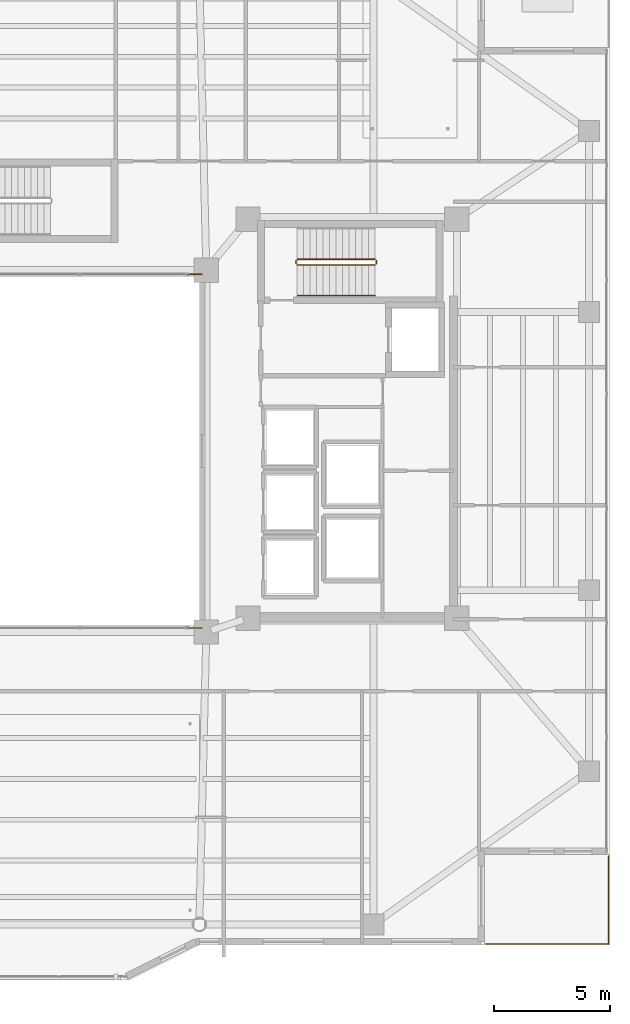
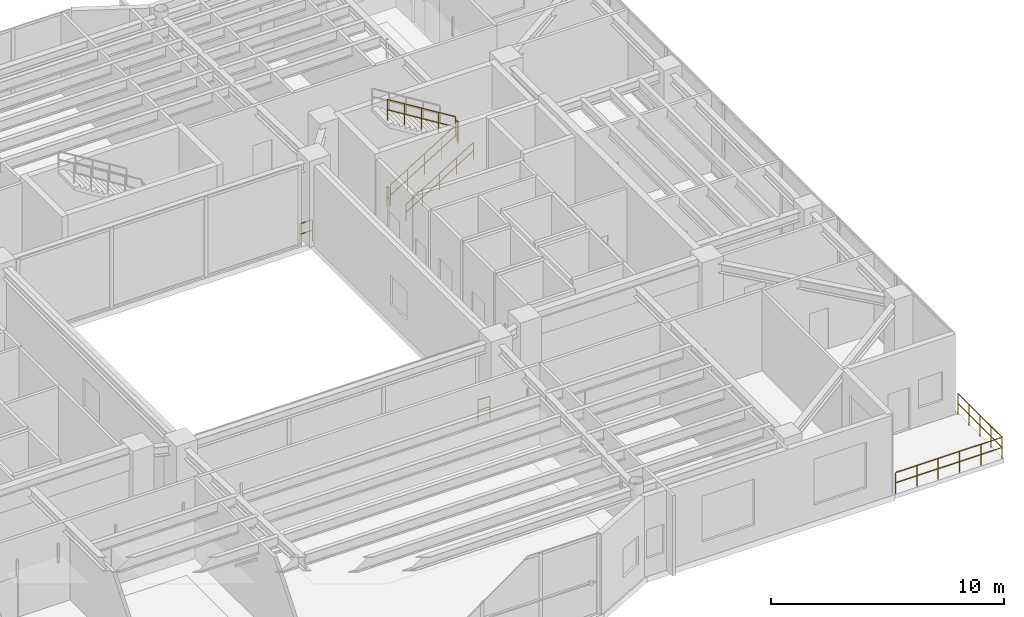
# One storey, part 31 of 33: 9 railings.
"""IFC4 building model written with IfcOpenShell, lengths in metres."""

import ifcopenshell
import ifcopenshell.guid

model = None  # the IFC model being written
_history = None  # IfcOwnerHistory: only IFC2X3 demands one
_inside = {}  # id of a spatial element -> (the spatial element, [elements in it])
_under = {}  # id of a project, library or spatial element -> (it, [spatial elements below it])
_declared = {}  # id of a project -> (the project, [libraries it declares])
_typed = {}  # id of a type object -> (the type object, [elements of that type])
_made_of = {}  # id of a material, layer set ... -> (it, [elements and type objects made of it])


def new_model(schema):
    """Start an empty IFC model of exactly this schema.

    Asked for "IFC4X3", IfcOpenShell would pick the latest addendum, in which some entities
    have other attributes; the version numbers below select the first issue.
    IFC2X3 requires an IfcOwnerHistory on every rooted entity: one is made here for all.
    """
    global model, _history
    if schema == "IFC4X3":
        model = ifcopenshell.file(schema_version=(4, 3, 0, 0))
    else:
        model = ifcopenshell.file(schema=schema)
    _inside.clear()
    _under.clear()
    _declared.clear()
    _typed.clear()
    _made_of.clear()
    _history = None
    if model.schema == "IFC2X3":
        org = make("IfcOrganization", Name="unknown")
        user = make(
            "IfcPersonAndOrganization",
            ThePerson=make("IfcPerson", FamilyName="unknown"),
            TheOrganization=org,
        )
        app = make(
            "IfcApplication",
            ApplicationDeveloper=org,
            Version="unknown",
            ApplicationFullName="unknown",
            ApplicationIdentifier="unknown",
        )
        _history = make(
            "IfcOwnerHistory",
            OwningUser=user,
            OwningApplication=app,
            ChangeAction="ADDED",
            CreationDate=0,
        )
    return model


def make(cls, **values):
    """One entity of the class cls with the attributes given. An attribute that is None is left unset."""
    return model.create_entity(
        cls, **{name: value for name, value in values.items() if value is not None}
    )


def rooted(cls, **values):
    """An entity with a GlobalId (a new one), such as an element, a storey or a relation."""
    return make(cls, GlobalId=ifcopenshell.guid.new(), OwnerHistory=_history, **values)


def si_unit(unit_type, name, prefix=None):
    """IfcSIUnit, for example si_unit("LENGTHUNIT", "METRE", prefix="MILLI")."""
    return make("IfcSIUnit", UnitType=unit_type, Prefix=prefix, Name=name)


def assignment(units):
    """IfcUnitAssignment: the units of a project."""
    return None if units is None else make("IfcUnitAssignment", Units=units)


def point(xyz):
    """IfcCartesianPoint."""
    return None if xyz is None else make("IfcCartesianPoint", Coordinates=xyz)


def direction(xyz):
    """IfcDirection."""
    return None if xyz is None else make("IfcDirection", DirectionRatios=xyz)


def frame(location, z_axis=None, x_axis=None):
    """IfcAxis2Placement3D, a coordinate frame: its origin and axes. An axis left out is left unset."""
    return make(
        "IfcAxis2Placement3D",
        Location=point(location),
        Axis=direction(z_axis),
        RefDirection=direction(x_axis),
    )


def frame_2d(location, x_axis=None):
    """IfcAxis2Placement2D, a coordinate frame in the plane: its origin and x axis."""
    return make(
        "IfcAxis2Placement2D", Location=point(location), RefDirection=direction(x_axis)
    )


def origin():
    """The frame at (0, 0, 0) with its axes left unset."""
    return frame((0.0, 0.0, 0.0))


def origin_2d():
    """The frame at (0, 0) in the plane with its x axis left unset."""
    return frame_2d((0.0, 0.0))


def place(relative_to, where):
    """IfcLocalPlacement: puts the frame where relative to a parent placement (None: the world)."""
    return make(
        "IfcLocalPlacement", PlacementRelTo=relative_to, RelativePlacement=where
    )


def context(
    kind, dimensions, precision=None, world=None, true_north=None, identifier=None
):
    """IfcGeometricRepresentationContext, for example the 3D "Model" context."""
    return make(
        "IfcGeometricRepresentationContext",
        ContextIdentifier=identifier,
        ContextType=kind,
        CoordinateSpaceDimension=dimensions,
        Precision=precision,
        WorldCoordinateSystem=world,
        TrueNorth=true_north,
    )


def subcontext(parent, identifier, kind, view, scale=None):
    """IfcGeometricRepresentationSubContext, for example "Body" below "Model"."""
    return make(
        "IfcGeometricRepresentationSubContext",
        ContextIdentifier=identifier,
        ContextType=kind,
        ParentContext=parent,
        TargetScale=scale,
        TargetView=view,
    )


def project(units=None, contexts=None):
    """IfcProject with its units and contexts."""
    return rooted(
        "IfcProject",
        Name="project",
        RepresentationContexts=contexts,
        UnitsInContext=assignment(units),
    )


def spatial(cls, under=None, at=None, **own):
    """A site, building, storey or space (cls), placed at a placement, below another one or the project."""
    s = rooted(cls, ObjectPlacement=at, **own)
    if under is not None:
        _under.setdefault(under.id(), (under, []))[1].append(s)
    return s


def profile(cls, at=None, kind="AREA", **sizes):
    """A parametric profile (cls). Its sizes go by their IFC names, for example OverallWidth=200.0."""
    return make(cls, ProfileType=kind, Position=at, **sizes)


def circle(**sizes):
    """IfcCircleProfileDef."""
    return profile("IfcCircleProfileDef", **sizes)


def extrude(swept, where, along, depth):
    """IfcExtrudedAreaSolid: the profile swept, set in the frame where, extruded along a direction by depth."""
    return make(
        "IfcExtrudedAreaSolid",
        SweptArea=swept,
        Position=where,
        ExtrudedDirection=direction(along),
        Depth=depth,
    )


def shape(context_of_items, identifier, shape_type, items):
    """IfcShapeRepresentation: the items that make up one representation, for example the "Body"."""
    return make(
        "IfcShapeRepresentation",
        ContextOfItems=context_of_items,
        RepresentationIdentifier=identifier,
        RepresentationType=shape_type,
        Items=items,
    )


def material(Name=None, Category=None):
    """IfcMaterial."""
    return make("IfcMaterial", Name=Name, Category=Category)


def made_of(thing, what):
    """Note that an element or type object is made of a material, layer set ...; save() writes the relation."""
    if what is not None:
        _made_of.setdefault(what.id(), (what, []))[1].append(thing)
    return thing


def type_object(cls, material=None, **own):
    """A type object (cls), such as IfcWallType, which elements share."""
    return made_of(rooted(cls, **own), material)


def element(
    cls,
    number,
    at=None,
    inside=None,
    cuts=None,
    type_object=None,
    material=None,
    context=None,
    identifier="Body",
    shape_type=None,
    held_by="IfcProductDefinitionShape",
    body=None,
    shapes=None,
    **own,
):
    """One element of the class cls, such as IfcWall. Its Tag is "e" and its number.

    at: its placement. inside: the storey or other place that contains it. cuts: it is an
    opening in that element (IfcRelVoidsElement). A single representation is given by context,
    identifier, shape_type and body (its items); several are given by shapes. held_by: the class
    of the entity that holds the representations. save() writes the other relations.
    """
    e = rooted(cls, Tag="e%d" % number, ObjectPlacement=at, **own)
    if body is not None:
        shapes = [shape(context, identifier, shape_type, body)]
    if shapes is not None:
        e.Representation = make(held_by, Representations=shapes)
    if inside is not None:
        _inside.setdefault(inside.id(), (inside, []))[1].append(e)
    if cuts is not None:
        rooted(
            "IfcRelVoidsElement", RelatingBuildingElement=cuts, RelatedOpeningElement=e
        )
    if type_object is not None:
        _typed.setdefault(type_object.id(), (type_object, []))[1].append(e)
    return made_of(e, material)


def aggregate(whole, parts):
    """IfcRelAggregates: a whole, such as a stair, and the parts it consists of."""
    return rooted("IfcRelAggregates", RelatingObject=whole, RelatedObjects=parts)


def save(model, path):
    """Write the relations noted so far, then the file.

    IfcRelAggregates (storeys below a building ...), IfcRelContainedInSpatialStructure (elements
    in a storey), IfcRelDefinesByType, IfcRelAssociatesMaterial and IfcRelDeclares: one each for
    every whole, place, type object, material and project.
    """
    for whole, parts in _under.values():
        aggregate(whole, parts)
    for where, things in _inside.values():
        rooted(
            "IfcRelContainedInSpatialStructure",
            RelatedElements=things,
            RelatingStructure=where,
        )
    for kind, things in _typed.values():
        rooted("IfcRelDefinesByType", RelatedObjects=things, RelatingType=kind)
    for what, things in _made_of.values():
        rooted("IfcRelAssociatesMaterial", RelatedObjects=things, RelatingMaterial=what)
    for by, libraries in _declared.values():
        rooted("IfcRelDeclares", RelatingContext=by, RelatedDefinitions=libraries)
    model.write(path)


model = new_model("IFC4")

# Units and contexts
model_context = context("Model", 3, precision=1e-05, world=origin(), true_north=direction((0.0, 1.0)))
body_context = subcontext(model_context, "Body", "Model", "MODEL_VIEW")
ifc_project = project(units=[si_unit("LENGTHUNIT", "METRE"), si_unit("AREAUNIT", "SQUARE_METRE"), si_unit("VOLUMEUNIT", "CUBIC_METRE"), si_unit("PLANEANGLEUNIT", "RADIAN"), si_unit("MASSUNIT", "GRAM", prefix="KILO")], contexts=[model_context])

# Site, building, storey
site_placement = place(None, origin())
site = spatial("IfcSite", under=ifc_project, at=site_placement, CompositionType="ELEMENT")
building_placement = place(site_placement, origin())
building = spatial("IfcBuilding", under=site, at=building_placement, Name="Tarnavaz Court Tower", CompositionType="ELEMENT")
storey_placement = place(building_placement, frame((0.0, 0.0, 172.800048828125)))
storey = spatial("IfcBuildingStorey", under=building, at=storey_placement, Name="L47", CompositionType="ELEMENT", Elevation=172.800048828125)

# Railings
ifc_material_1 = material(Name="Anodised Aluminium 6063-T6 and Laminated Safety Glass", Category="aluminium")
railing_type_1 = type_object("IfcRailingType", Name="RL-BAL-1120", PredefinedType="BALUSTRADE", material=ifc_material_1)
railing_1_placement = place(storey_placement, frame((7.02001953125, -7.6201171875, 0.0)))
element("IfcRailing", 1, at=railing_1_placement, inside=storey, type_object=railing_type_1, Name="L47 Courtyard Corner Balustrade S-B", PredefinedType="BALUSTRADE", context=body_context, shape_type="SweptSolid", body=[
    extrude(circle(Radius=0.02392578125, at=origin_2d()), frame((0.0, 0.0, 1.1259765625), z_axis=(1.0, 0.0, 0.0), x_axis=(0.0, 1.0, 0.0)), (0.0, 0.0, 1.0), 0.60009765625),
    extrude(circle(Radius=0.02392578125, at=origin_2d()), frame((0.0, 0.0, 0.574951171875), z_axis=(1.0, 0.0, 0.0), x_axis=(0.0, 1.0, 0.0)), (0.0, 0.0, 1.0), 0.60009765625),
    extrude(circle(Radius=0.02099609375, at=origin_2d()), origin(), (0.0, 0.0, 1.0), 1.101806640625),
    extrude(circle(Radius=0.02099609375, at=origin_2d()), frame((0.60009765625, 0.0, 0.0)), (0.0, 0.0, 1.0), 1.101806640625),
])
railing_2_placement = place(storey_placement, frame((7.6201171875, 7.6201171875, 0.0)))
element("IfcRailing", 2, at=railing_2_placement, inside=storey, type_object=railing_type_1, Name="L47 Courtyard Corner Balustrade N-A", PredefinedType="BALUSTRADE", context=body_context, shape_type="SweptSolid", body=[
    extrude(circle(Radius=0.02392578125, at=origin_2d()), frame((0.0, 0.0, 1.1259765625), z_axis=(-1.0, 0.0, 0.0), x_axis=(0.0, -1.0, 0.0)), (0.0, 0.0, 1.0), 0.60009765625),
    extrude(circle(Radius=0.02392578125, at=origin_2d()), frame((0.0, 0.0, 0.574951171875), z_axis=(-1.0, 0.0, 0.0), x_axis=(0.0, -1.0, 0.0)), (0.0, 0.0, 1.0), 0.60009765625),
    extrude(circle(Radius=0.02099609375, at=origin_2d()), origin(), (0.0, 0.0, 1.0), 1.101806640625),
    extrude(circle(Radius=0.02099609375, at=origin_2d()), frame((-0.60009765625, 0.0, 0.0)), (0.0, 0.0, 1.0), 1.101806640625),
])
railing_3_placement = place(storey_placement, frame((19.860107421875, -21.239990234375, 0.0)))
element("IfcRailing", 3, at=railing_3_placement, inside=storey, type_object=railing_type_1, Name="L47 Terrace 3 S Perimeter Balustrade", PredefinedType="BALUSTRADE", context=body_context, shape_type="SweptSolid", body=[
    extrude(circle(Radius=0.02392578125, at=origin_2d()), frame((0.0, 0.0, 1.09619140625), z_axis=(1.0, 0.0, 0.0), x_axis=(0.0, 1.0, 0.0)), (0.0, 0.0, 1.0), 5.27978515625),
    extrude(circle(Radius=0.02392578125, at=origin_2d()), frame((0.0, 0.0, 0.56005859375), z_axis=(1.0, 0.0, 0.0), x_axis=(0.0, 1.0, 0.0)), (0.0, 0.0, 1.0), 5.27978515625),
    extrude(circle(Radius=0.02099609375, at=origin_2d()), origin(), (0.0, 0.0, 1.0), 1.072021484375),
    extrude(circle(Radius=0.02099609375, at=origin_2d()), frame((1.055908203125, 0.0, 0.0)), (0.0, 0.0, 1.0), 1.072021484375),
    extrude(circle(Radius=0.02099609375, at=origin_2d()), frame((2.11181640625, 0.0, 0.0)), (0.0, 0.0, 1.0), 1.072021484375),
    extrude(circle(Radius=0.02099609375, at=origin_2d()), frame((3.16796875, 0.0, 0.0)), (0.0, 0.0, 1.0), 1.072021484375),
    extrude(circle(Radius=0.02099609375, at=origin_2d()), frame((4.223876953125, 0.0, 0.0)), (0.0, 0.0, 1.0), 1.072021484375),
    extrude(circle(Radius=0.02099609375, at=origin_2d()), frame((5.27978515625, 0.0, 0.0)), (0.0, 0.0, 1.0), 1.072021484375),
])
railing_4_placement = place(storey_placement, frame((25.139892578125, -21.239990234375, 0.0)))
element("IfcRailing", 4, at=railing_4_placement, inside=storey, type_object=railing_type_1, Name="L47 Terrace 3 E Perimeter Balustrade", PredefinedType="BALUSTRADE", context=body_context, shape_type="SweptSolid", body=[
    extrude(circle(Radius=0.02392578125, at=origin_2d()), frame((0.0, 0.0, 1.09619140625), z_axis=(0.0, 1.0, 0.0), x_axis=(-1.0, 0.0, 0.0)), (0.0, 0.0, 1.0), 3.780029296875),
    extrude(circle(Radius=0.02392578125, at=origin_2d()), frame((0.0, 0.0, 0.56005859375), z_axis=(0.0, 1.0, 0.0), x_axis=(-1.0, 0.0, 0.0)), (0.0, 0.0, 1.0), 3.780029296875),
    extrude(circle(Radius=0.02099609375, at=origin_2d()), origin(), (0.0, 0.0, 1.0), 1.072021484375),
    extrude(circle(Radius=0.02099609375, at=origin_2d()), frame((0.0, 0.945068359375, 0.0)), (0.0, 0.0, 1.0), 1.072021484375),
    extrude(circle(Radius=0.02099609375, at=origin_2d()), frame((0.0, 1.89013671875, 0.0)), (0.0, 0.0, 1.0), 1.072021484375),
    extrude(circle(Radius=0.02099609375, at=origin_2d()), frame((0.0, 2.8349609375, 0.0)), (0.0, 0.0, 1.0), 1.072021484375),
    extrude(circle(Radius=0.02099609375, at=origin_2d()), frame((0.0, 3.780029296875, 0.0)), (0.0, 0.0, 1.0), 1.072021484375),
])
ifc_material_2 = material(Name="Brushed Stainless Steel", Category="steel")
railing_type_2 = type_object("IfcRailingType", Name="RL-HANDRAIL-900", PredefinedType="HANDRAIL", material=ifc_material_2)
railing_5_placement = place(storey_placement, frame((11.719970703125, 6.699951171875, 0.173095703125)))
element("IfcRailing", 5, at=railing_5_placement, inside=storey, type_object=railing_type_2, Name="L47 ST-E1 stair handrail 1", PredefinedType="HANDRAIL", context=body_context, shape_type="SweptSolid", body=[
    extrude(circle(Radius=0.02392578125, at=origin_2d()), frame((0.0, 0.0, 0.8759765625), z_axis=(0.850623216509, 0.0, 0.525775754039), x_axis=(0.0, 1.0, 0.0)), (0.0, 0.0, 1.0), 3.9501953125),
    extrude(circle(Radius=0.02392578125, at=origin_2d()), frame((0.0, 0.0, 0.449951171875), z_axis=(0.850623216509, 0.0, 0.525775754039), x_axis=(0.0, 1.0, 0.0)), (0.0, 0.0, 1.0), 3.9501953125),
    extrude(circle(Radius=0.02099609375, at=origin_2d()), origin(), (0.0, 0.0, 1.0), 0.851806640625),
    extrude(circle(Radius=0.02099609375, at=origin_2d()), frame((0.840087890625, 0.0, 0.519287109375)), (0.0, 0.0, 1.0), 0.851806640625),
    extrude(circle(Radius=0.02099609375, at=origin_2d()), frame((1.68017578125, 0.0, 1.03857421875)), (0.0, 0.0, 1.0), 0.851806640625),
    extrude(circle(Radius=0.02099609375, at=origin_2d()), frame((2.52001953125, 0.0, 1.5576171875)), (0.0, 0.0, 1.0), 0.851806640625),
    extrude(circle(Radius=0.02099609375, at=origin_2d()), frame((3.360107421875, 0.0, 2.076904296875)), (0.0, 0.0, 1.0), 0.851806640625),
])
ifc_material_3 = material(Name="Galvanized Painted Tubular Steel", Category="steel")
railing_type_3 = type_object("IfcRailingType", Name="RL-STGUARD-1120", PredefinedType="GUARDRAIL", material=ifc_material_3)
railing_6_placement = place(storey_placement, frame((11.719970703125, 8.02001953125, 0.173095703125)))
element("IfcRailing", 6, at=railing_6_placement, inside=storey, type_object=railing_type_3, Name="L47 ST-E1 stair guard 1", PredefinedType="GUARDRAIL", context=body_context, shape_type="SweptSolid", body=[
    extrude(circle(Radius=0.02392578125, at=origin_2d()), frame((0.0, 0.0, 1.09619140625), z_axis=(0.850623216509, 0.0, 0.525775754039), x_axis=(0.0, 1.0, 0.0)), (0.0, 0.0, 1.0), 3.9501953125),
    extrude(circle(Radius=0.02392578125, at=origin_2d()), frame((0.0, 0.0, 0.56005859375), z_axis=(0.850623216509, 0.0, 0.525775754039), x_axis=(0.0, 1.0, 0.0)), (0.0, 0.0, 1.0), 3.9501953125),
    extrude(circle(Radius=0.02099609375, at=origin_2d()), origin(), (0.0, 0.0, 1.0), 1.072021484375),
    extrude(circle(Radius=0.02099609375, at=origin_2d()), frame((0.840087890625, 0.0, 0.519287109375)), (0.0, 0.0, 1.0), 1.072021484375),
    extrude(circle(Radius=0.02099609375, at=origin_2d()), frame((1.68017578125, 0.0, 1.03857421875)), (0.0, 0.0, 1.0), 1.072021484375),
    extrude(circle(Radius=0.02099609375, at=origin_2d()), frame((2.52001953125, 0.0, 1.5576171875)), (0.0, 0.0, 1.0), 1.072021484375),
    extrude(circle(Radius=0.02099609375, at=origin_2d()), frame((3.360107421875, 0.0, 2.076904296875)), (0.0, 0.0, 1.0), 1.072021484375),
])
railing_7_placement = place(storey_placement, frame((15.1298828125, 8.070068359375, 2.25)))
element("IfcRailing", 7, at=railing_7_placement, inside=storey, type_object=railing_type_3, Name="L47 ST-E1 stair guard 2", PredefinedType="GUARDRAIL", context=body_context, shape_type="SweptSolid", body=[
    extrude(circle(Radius=0.02392578125, at=origin_2d()), frame((0.0, 0.0, 1.09619140625), z_axis=(0.0, 1.0, 0.0), x_axis=(-1.0, 0.0, 0.0)), (0.0, 0.0, 1.0), 0.14990234375),
    extrude(circle(Radius=0.02392578125, at=origin_2d()), frame((0.0, 0.0, 0.56005859375), z_axis=(0.0, 1.0, 0.0), x_axis=(-1.0, 0.0, 0.0)), (0.0, 0.0, 1.0), 0.14990234375),
    extrude(circle(Radius=0.02099609375, at=origin_2d()), origin(), (0.0, 0.0, 1.0), 1.072021484375),
    extrude(circle(Radius=0.02099609375, at=origin_2d()), frame((0.0, 0.14990234375, 0.0)), (0.0, 0.0, 1.0), 1.072021484375),
])
railing_8_placement = place(storey_placement, frame((15.080078125, 8.27001953125, 2.423095703125)))
element("IfcRailing", 8, at=railing_8_placement, inside=storey, type_object=railing_type_3, Name="L47 ST-E1 stair guard 3", PredefinedType="GUARDRAIL", context=body_context, shape_type="SweptSolid", body=[
    extrude(circle(Radius=0.02392578125, at=origin_2d()), frame((0.0, 0.0, 1.09619140625), z_axis=(-0.850623216509, 0.0, 0.525775754039), x_axis=(0.0, -1.0, 0.0)), (0.0, 0.0, 1.0), 3.9501953125),
    extrude(circle(Radius=0.02392578125, at=origin_2d()), frame((0.0, 0.0, 0.56005859375), z_axis=(-0.850623216509, 0.0, 0.525775754039), x_axis=(0.0, -1.0, 0.0)), (0.0, 0.0, 1.0), 3.9501953125),
    extrude(circle(Radius=0.02099609375, at=origin_2d()), origin(), (0.0, 0.0, 1.0), 1.072021484375),
    extrude(circle(Radius=0.02099609375, at=origin_2d()), frame((-0.840087890625, 0.0, 0.519287109375)), (0.0, 0.0, 1.0), 1.072021484375),
    extrude(circle(Radius=0.02099609375, at=origin_2d()), frame((-1.68017578125, 0.0, 1.03857421875)), (0.0, 0.0, 1.0), 1.072021484375),
    extrude(circle(Radius=0.02099609375, at=origin_2d()), frame((-2.52001953125, 0.0, 1.5576171875)), (0.0, 0.0, 1.0), 1.072021484375),
    extrude(circle(Radius=0.02099609375, at=origin_2d()), frame((-3.360107421875, 0.0, 2.076904296875)), (0.0, 0.0, 1.0), 1.072021484375),
])
railing_9_placement = place(storey_placement, frame((11.669921875, 8.070068359375, 0.0)))
element("IfcRailing", 9, at=railing_9_placement, inside=storey, type_object=railing_type_3, Name="L47 ST-E1 stair guard 4", PredefinedType="GUARDRAIL", context=body_context, shape_type="SweptSolid", body=[
    extrude(circle(Radius=0.02392578125, at=origin_2d()), frame((0.0, 0.0, 1.09619140625), z_axis=(0.0, 1.0, 0.0), x_axis=(-1.0, 0.0, 0.0)), (0.0, 0.0, 1.0), 0.14990234375),
    extrude(circle(Radius=0.02392578125, at=origin_2d()), frame((0.0, 0.0, 0.56005859375), z_axis=(0.0, 1.0, 0.0), x_axis=(-1.0, 0.0, 0.0)), (0.0, 0.0, 1.0), 0.14990234375),
    extrude(circle(Radius=0.02099609375, at=origin_2d()), origin(), (0.0, 0.0, 1.0), 1.072021484375),
    extrude(circle(Radius=0.02099609375, at=origin_2d()), frame((0.0, 0.14990234375, 0.0)), (0.0, 0.0, 1.0), 1.072021484375),
])

save(model, "model.ifc")
